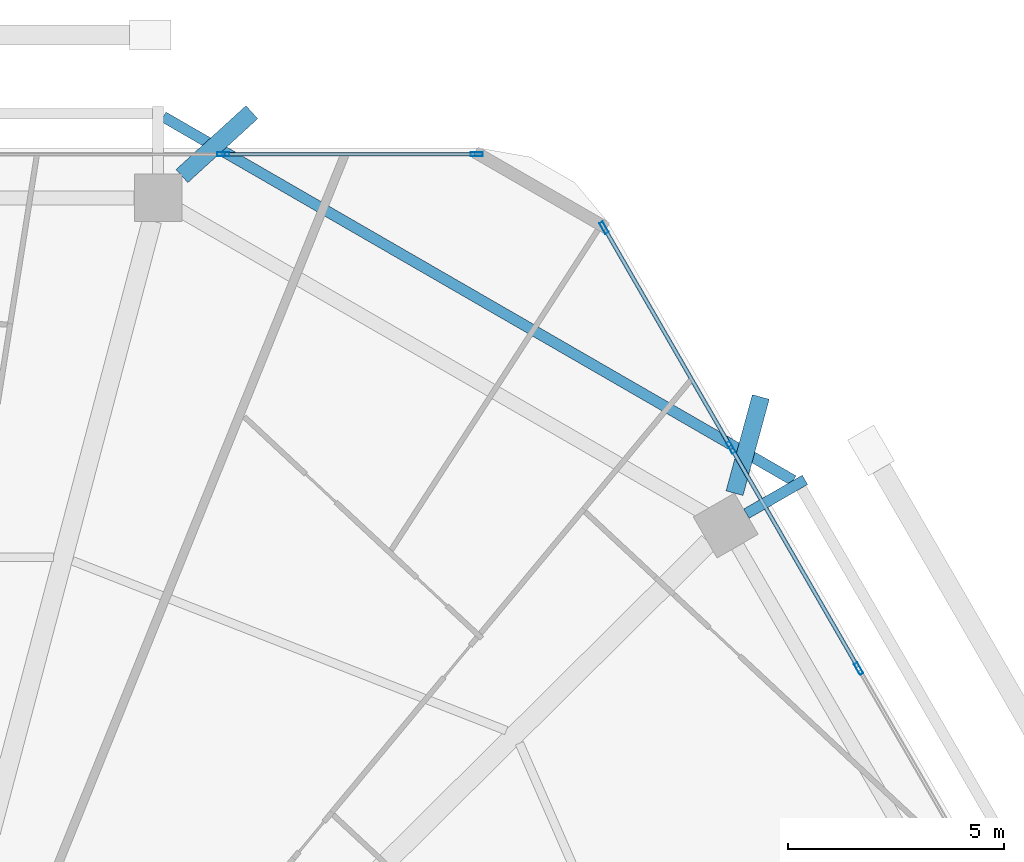
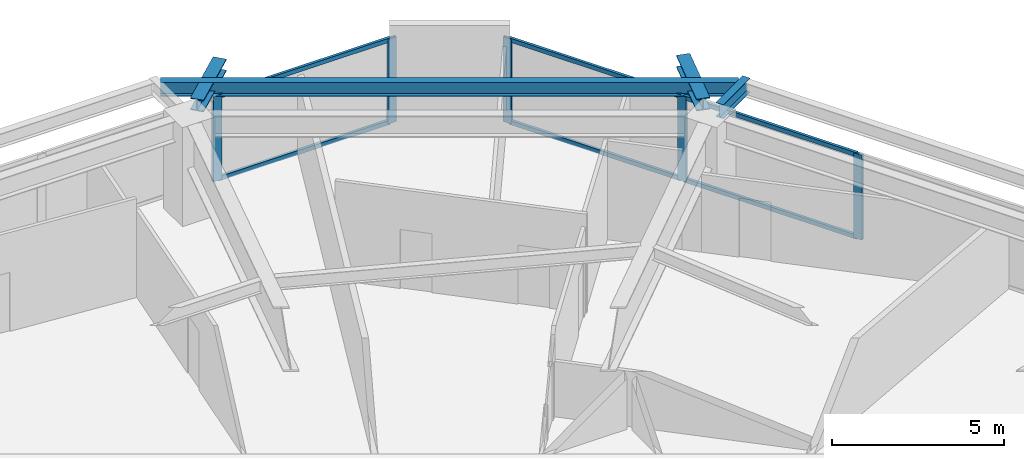
# One storey, part 23 of 33: 11 members, 4 beams, 2 elements without a shape of their own.
"""IFC4 building model written with IfcOpenShell, lengths in metres."""

from ifc_helpers import new_model, si_unit, direction, frame, origin, origin_2d, place, context, subcontext, project, spatial, hollow_rectangle, i_section, extrude, material, material_profile, profile_set, type_object, element, aggregate, save


model = new_model("IFC4")

# Units and contexts
model_context = context("Model", 3, precision=1e-05, world=origin(), true_north=direction((0.0, 1.0)))
body_context = subcontext(model_context, "Body", "Model", "MODEL_VIEW")
ifc_project = project(units=[si_unit("LENGTHUNIT", "METRE"), si_unit("AREAUNIT", "SQUARE_METRE"), si_unit("VOLUMEUNIT", "CUBIC_METRE"), si_unit("PLANEANGLEUNIT", "RADIAN"), si_unit("MASSUNIT", "GRAM", prefix="KILO")], contexts=[model_context])

# Site, building, storey
site_placement = place(None, origin())
site = spatial("IfcSite", under=ifc_project, at=site_placement, CompositionType="ELEMENT")
building_placement = place(site_placement, origin())
building = spatial("IfcBuilding", under=site, at=building_placement, Name="Zuhravey Tower", CompositionType="ELEMENT")
storey_placement = place(building_placement, frame((0.0, 0.0, 141.800048828125)))
storey = spatial("IfcBuildingStorey", under=building, at=storey_placement, Name="L35", CompositionType="ELEMENT", Elevation=141.800048828125)

# Curtain wall, members
ifc_material_1 = material(Name="Thermally broken anodised aluminium", Category="aluminium")
curtain_wall_type = type_object("IfcCurtainWallType", Name="Zone 1-2 Residential Curtain Wall CW3", PredefinedType="NOTDEFINED", material=ifc_material_1)
curtain_wall_1_placement = place(storey_placement, origin())
curtain_wall_1 = element("IfcCurtainWall", 1, at=curtain_wall_1_placement, inside=storey, type_object=curtain_wall_type, Name="L35 CW3 CW-L35-F2-1", PredefinedType="NOTDEFINED")
ifc_material_2 = material(Name="Anodised aluminium", Category="aluminium")
ifc_material_profile_1 = material_profile(ifc_material_2, hollow_rectangle(XDim=0.090087890625, YDim=0.284912109375, WallThickness=0.0048828125, at=origin_2d()), Name="ALU-RHS-90x285x5")
ifc_profile_set_1 = profile_set([ifc_material_profile_1], Name="Anodised aluminium")
member_type_1 = type_object("IfcMemberType", Name="Curtain-Wall Mullion 90x180", PredefinedType="MULLION", material=ifc_profile_set_1)
member_1_placement = place(storey_placement, frame((44.879638671875, 60.95849609375, 0.0), z_axis=(0.0, 0.0, 1.0), x_axis=(0.0, 1.0, 0.0)))
member_1 = element("IfcMember", 2, at=member_1_placement, type_object=member_type_1, Name="CW3 mullion 5", PredefinedType="MULLION", context=body_context, shape_type="SweptSolid", body=[
    extrude(hollow_rectangle(XDim=0.090087890625, YDim=0.284912109375, WallThickness=0.0048828125, at=origin_2d()), origin(), (0.0, 0.0, 1.0), 3.02001953125),
])
member_2_placement = place(storey_placement, frame((50.75439453125, 60.95849609375, 0.0), z_axis=(0.0, 0.0, 1.0), x_axis=(0.0, 1.0, 0.0)))
member_2 = element("IfcMember", 3, at=member_2_placement, type_object=member_type_1, Name="CW3 mullion 6", PredefinedType="MULLION", context=body_context, shape_type="SweptSolid", body=[
    extrude(hollow_rectangle(XDim=0.090087890625, YDim=0.284912109375, WallThickness=0.0048828125, at=origin_2d()), origin(), (0.0, 0.0, 1.0), 3.02001953125),
])

curtain_wall_2_placement = place(storey_placement, origin())
curtain_wall_2 = element("IfcCurtainWall", 4, at=curtain_wall_2_placement, inside=storey, type_object=curtain_wall_type, Name="L35 CW3 CW-L35-F1-1", PredefinedType="NOTDEFINED")
member_3_placement = place(storey_placement, frame((53.701416015625, 59.257080078125, 0.0), z_axis=(0.0, 0.0, 1.0), x_axis=(0.86602552265, 0.499999794119, 0.0)))
member_3 = element("IfcMember", 5, at=member_3_placement, type_object=member_type_1, Name="CW3 mullion 1", PredefinedType="MULLION", context=body_context, shape_type="SweptSolid", body=[
    extrude(hollow_rectangle(XDim=0.090087890625, YDim=0.284912109375, WallThickness=0.0048828125, at=origin_2d()), origin(), (0.0, 0.0, 1.0), 3.02001953125),
])
member_4_placement = place(storey_placement, frame((56.638916015625, 54.169189453125, 0.0), z_axis=(0.0, 0.0, 1.0), x_axis=(0.86602552265, 0.499999794119, 0.0)))
member_4 = element("IfcMember", 6, at=member_4_placement, type_object=member_type_1, Name="CW3 mullion 2", PredefinedType="MULLION", context=body_context, shape_type="SweptSolid", body=[
    extrude(hollow_rectangle(XDim=0.090087890625, YDim=0.284912109375, WallThickness=0.0048828125, at=origin_2d()), origin(), (0.0, 0.0, 1.0), 3.02001953125),
])
member_5_placement = place(storey_placement, frame((59.598876953125, 49.04248046875, 0.0), z_axis=(0.0, 0.0, 1.0), x_axis=(0.86602552265, 0.499999794119, 0.0)))
member_5 = element("IfcMember", 7, at=member_5_placement, type_object=member_type_1, Name="CW3 mullion 3", PredefinedType="MULLION", context=body_context, shape_type="SweptSolid", body=[
    extrude(hollow_rectangle(XDim=0.090087890625, YDim=0.284912109375, WallThickness=0.0048828125, at=origin_2d()), origin(), (0.0, 0.0, 1.0), 3.02001953125),
])

# Member
ifc_material_profile_2 = material_profile(ifc_material_2, hollow_rectangle(XDim=0.090087890625, YDim=0.14990234375, WallThickness=0.0048828125, at=origin_2d()), Name="ALU-RHS-90x150x5")
ifc_profile_set_2 = profile_set([ifc_material_profile_2], Name="Anodised aluminium")
member_type_2 = type_object("IfcMemberType", Name="Curtain-Wall Transom 90x150", PredefinedType="USERDEFINED", material=ifc_profile_set_2)
member_6_placement = place(storey_placement, frame((44.9248046875, 60.95849609375, 0.044921875), z_axis=(1.0, 0.0, 0.0), x_axis=(0.0, 1.0, 0.0)))
member_6 = element("IfcMember", 8, at=member_6_placement, type_object=member_type_2, Name="CW3 transom 5.1", ObjectType="TRANSOM", PredefinedType="USERDEFINED", context=body_context, shape_type="SweptSolid", body=[
    extrude(hollow_rectangle(XDim=0.090087890625, YDim=0.14990234375, WallThickness=0.0048828125, at=origin_2d()), origin(), (0.0, 0.0, 1.0), 5.78466796875),
])

member_7_placement = place(storey_placement, frame((44.9248046875, 60.95849609375, 2.974853515625), z_axis=(1.0, 0.0, 0.0), x_axis=(0.0, 1.0, 0.0)))
member_7 = element("IfcMember", 9, at=member_7_placement, type_object=member_type_2, Name="CW3 transom 5.2", ObjectType="TRANSOM", PredefinedType="USERDEFINED", context=body_context, shape_type="SweptSolid", body=[
    extrude(hollow_rectangle(XDim=0.090087890625, YDim=0.14990234375, WallThickness=0.0048828125, at=origin_2d()), origin(), (0.0, 0.0, 1.0), 5.78466796875),
])

aggregate(curtain_wall_1, [member_1, member_2, member_6, member_7])

member_8_placement = place(storey_placement, frame((53.72412109375, 59.218017578125, 0.044921875), z_axis=(0.499992798144, -0.866029561738, 0.0), x_axis=(0.866029561738, 0.499992798144, 0.0)))
member_8 = element("IfcMember", 10, at=member_8_placement, type_object=member_type_2, Name="CW3 transom 1.1", ObjectType="TRANSOM", PredefinedType="USERDEFINED", context=body_context, shape_type="SweptSolid", body=[
    extrude(hollow_rectangle(XDim=0.090087890625, YDim=0.14990234375, WallThickness=0.0048828125, at=origin_2d()), origin(), (0.0, 0.0, 1.0), 5.78466796875),
])

member_9_placement = place(storey_placement, frame((53.72412109375, 59.218017578125, 2.974853515625), z_axis=(0.499992798144, -0.866029561738, 0.0), x_axis=(0.866029561738, 0.499992798144, 0.0)))
member_9 = element("IfcMember", 11, at=member_9_placement, type_object=member_type_2, Name="CW3 transom 1.2", ObjectType="TRANSOM", PredefinedType="USERDEFINED", context=body_context, shape_type="SweptSolid", body=[
    extrude(hollow_rectangle(XDim=0.090087890625, YDim=0.14990234375, WallThickness=0.0048828125, at=origin_2d()), origin(), (0.0, 0.0, 1.0), 5.78466796875),
])

member_10_placement = place(storey_placement, frame((56.661376953125, 54.13037109375, 0.044921875), z_axis=(0.500012451049, -0.866018215049, 0.0), x_axis=(0.866018215049, 0.500012451049, 0.0)))
member_10 = element("IfcMember", 12, at=member_10_placement, type_object=member_type_2, Name="CW3 transom 2.1", ObjectType="TRANSOM", PredefinedType="USERDEFINED", context=body_context, shape_type="SweptSolid", body=[
    extrude(hollow_rectangle(XDim=0.090087890625, YDim=0.14990234375, WallThickness=0.0048828125, at=origin_2d()), origin(), (0.0, 0.0, 1.0), 5.829833984375),
])

member_11_placement = place(storey_placement, frame((56.661376953125, 54.13037109375, 2.974853515625), z_axis=(0.500012451049, -0.866018215049, 0.0), x_axis=(0.866018215049, 0.500012451049, 0.0)))
member_11 = element("IfcMember", 13, at=member_11_placement, type_object=member_type_2, Name="CW3 transom 2.2", ObjectType="TRANSOM", PredefinedType="USERDEFINED", context=body_context, shape_type="SweptSolid", body=[
    extrude(hollow_rectangle(XDim=0.090087890625, YDim=0.14990234375, WallThickness=0.0048828125, at=origin_2d()), origin(), (0.0, 0.0, 1.0), 5.829833984375),
])

aggregate(curtain_wall_2, [member_3, member_4, member_5, member_8, member_9, member_10, member_11])

# Beams
ifc_material_3 = material(Name="Steel SM460", Category="steel")
ifc_material_profile_3 = material_profile(ifc_material_3, i_section(OverallWidth=0.406982421875, OverallDepth=0.427978515625, WebThickness=0.02001953125, FlangeThickness=0.034912109375, at=origin_2d()), Name="H-428x407x20x35")
ifc_profile_set_3 = profile_set([ifc_material_profile_3], Name="Steel SM460")
beam_type_1 = type_object("IfcBeamType", Name="Exoskeleton Node Tie Beam H428x407", PredefinedType="BEAM", material=ifc_profile_set_3)
beam_1_placement = place(storey_placement, frame((56.723876953125, 53.10791015625, 3.305908203125), z_axis=(0.26321575574, 0.964736993139, 0.0), x_axis=(-0.964736993139, 0.26321575574, 0.0)))
element("IfcBeam", 14, at=beam_1_placement, inside=storey, type_object=beam_type_1, Name="L35 Exoskeleton Node Tie NT1-02", PredefinedType="BEAM", context=body_context, shape_type="SweptSolid", body=[
    extrude(i_section(OverallWidth=0.406982421875, OverallDepth=0.427978515625, WebThickness=0.02001953125, FlangeThickness=0.034912109375, at=origin_2d()), origin(), (0.0, 0.0, 1.0), 2.310546875),
])
beam_2_placement = place(storey_placement, frame((43.9228515625, 60.453369140625, 3.305908203125), z_axis=(0.738574587042, 0.674171772901, 0.0), x_axis=(-0.674171772901, 0.738574587042, 0.0)))
element("IfcBeam", 15, at=beam_2_placement, inside=storey, type_object=beam_type_1, Name="L35 Exoskeleton Node Tie NT1-03", PredefinedType="BEAM", context=body_context, shape_type="SweptSolid", body=[
    extrude(i_section(OverallWidth=0.406982421875, OverallDepth=0.427978515625, WebThickness=0.02001953125, FlangeThickness=0.034912109375, at=origin_2d()), origin(), (0.0, 0.0, 1.0), 2.19482421875),
])
ifc_material_4 = material(Name="Steel SM355", Category="steel")
ifc_material_profile_4 = material_profile(ifc_material_4, i_section(OverallWidth=0.25, OverallDepth=0.5, WebThickness=0.010009765625, FlangeThickness=0.01611328125, at=origin_2d()), Name="H-500x250x10x16")
ifc_profile_set_4 = profile_set([ifc_material_profile_4], Name="Steel SM355")
beam_type_2 = type_object("IfcBeamType", Name="Tray Cantilever Spandrel H500x250", PredefinedType="SPANDREL", material=ifc_profile_set_4)
beam_3_placement = place(storey_placement, frame((56.998779296875, 52.6337890625, 3.27001953125), z_axis=(0.8659700968, 0.500095782274, 0.0), x_axis=(-0.500095782274, 0.8659700968, 0.0)))
element("IfcBeam", 16, at=beam_3_placement, inside=storey, type_object=beam_type_2, Name="L35 Sky-Tray Cantilever Arm TSB1-R02", PredefinedType="SPANDREL", context=body_context, shape_type="SweptSolid", body=[
    extrude(i_section(OverallWidth=0.25, OverallDepth=0.5, WebThickness=0.010009765625, FlangeThickness=0.01611328125, at=origin_2d()), origin(), (0.0, 0.0, 1.0), 1.566162109375),
])
beam_4_placement = place(storey_placement, frame((58.08642578125, 53.40185546875, 3.27001953125), z_axis=(-0.866020095686, 0.500009193783, 0.0), x_axis=(-0.500009193783, -0.866020095686, 0.0)))
element("IfcBeam", 17, at=beam_4_placement, inside=storey, type_object=beam_type_2, Name="L35 Sky-Tray Edge Spandrel TSB1-02", PredefinedType="SPANDREL", context=body_context, shape_type="SweptSolid", body=[
    extrude(i_section(OverallWidth=0.25, OverallDepth=0.5, WebThickness=0.010009765625, FlangeThickness=0.01611328125, at=origin_2d()), origin(), (0.0, 0.0, 1.0), 16.853271484375),
])

save(model, "model.ifc")
